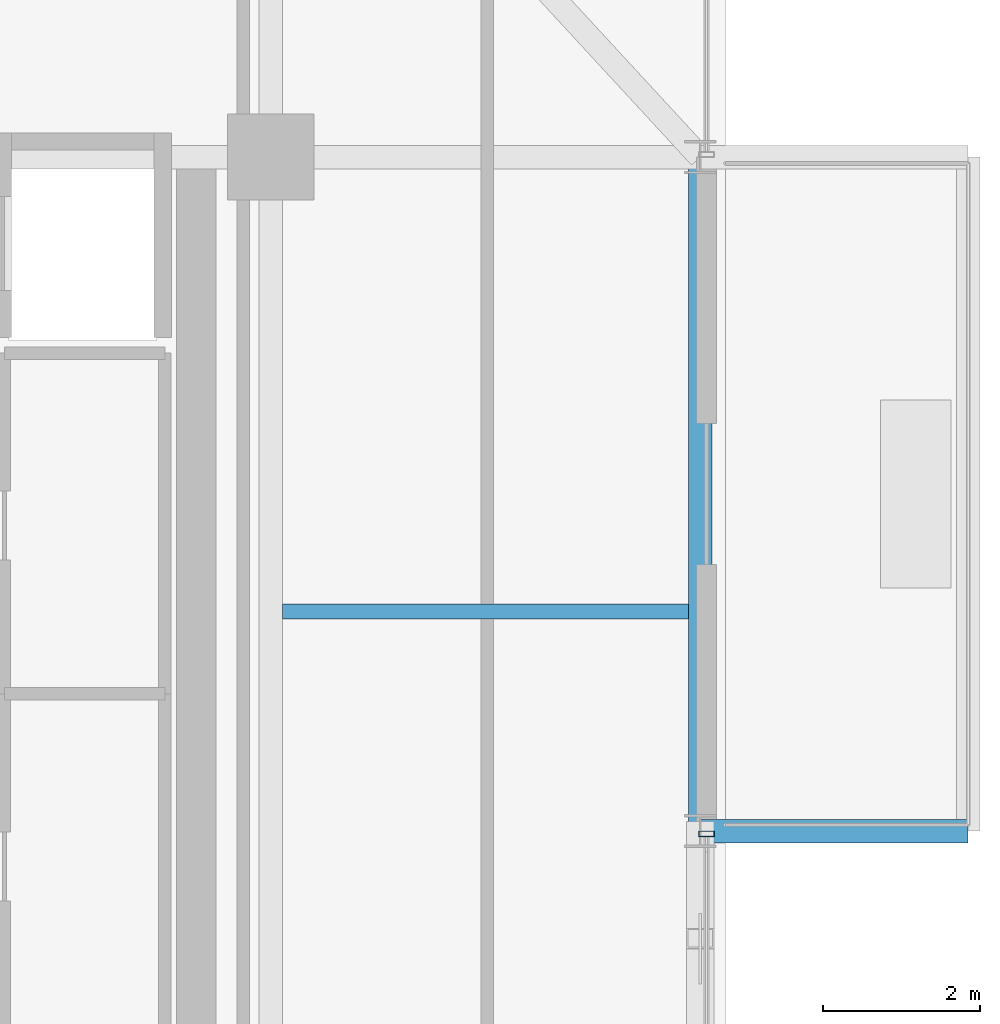
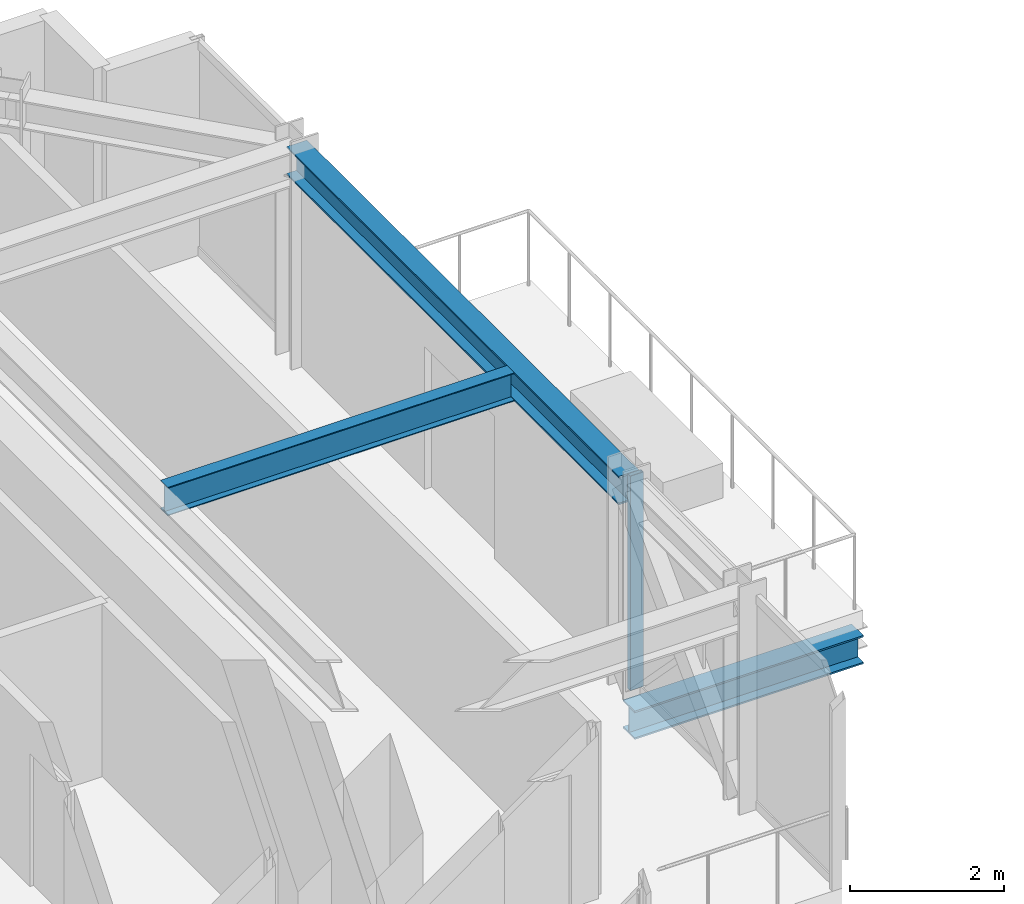
# One storey, part 26 of 38: 3 beams, 1 member, 1 element without a shape of its own.
"""IFC4 building model written with IfcOpenShell, lengths in metres."""

import ifcopenshell
import ifcopenshell.guid

model = None  # the IFC model being written
_history = None  # IfcOwnerHistory: only IFC2X3 demands one
_inside = {}  # id of a spatial element -> (the spatial element, [elements in it])
_under = {}  # id of a project, library or spatial element -> (it, [spatial elements below it])
_declared = {}  # id of a project -> (the project, [libraries it declares])
_typed = {}  # id of a type object -> (the type object, [elements of that type])
_made_of = {}  # id of a material, layer set ... -> (it, [elements and type objects made of it])


def new_model(schema):
    """Start an empty IFC model of exactly this schema.

    Asked for "IFC4X3", IfcOpenShell would pick the latest addendum, in which some entities
    have other attributes; the version numbers below select the first issue.
    IFC2X3 requires an IfcOwnerHistory on every rooted entity: one is made here for all.
    """
    global model, _history
    if schema == "IFC4X3":
        model = ifcopenshell.file(schema_version=(4, 3, 0, 0))
    else:
        model = ifcopenshell.file(schema=schema)
    _inside.clear()
    _under.clear()
    _declared.clear()
    _typed.clear()
    _made_of.clear()
    _history = None
    if model.schema == "IFC2X3":
        org = make("IfcOrganization", Name="unknown")
        user = make(
            "IfcPersonAndOrganization",
            ThePerson=make("IfcPerson", FamilyName="unknown"),
            TheOrganization=org,
        )
        app = make(
            "IfcApplication",
            ApplicationDeveloper=org,
            Version="unknown",
            ApplicationFullName="unknown",
            ApplicationIdentifier="unknown",
        )
        _history = make(
            "IfcOwnerHistory",
            OwningUser=user,
            OwningApplication=app,
            ChangeAction="ADDED",
            CreationDate=0,
        )
    return model


def make(cls, **values):
    """One entity of the class cls with the attributes given. An attribute that is None is left unset."""
    return model.create_entity(
        cls, **{name: value for name, value in values.items() if value is not None}
    )


def rooted(cls, **values):
    """An entity with a GlobalId (a new one), such as an element, a storey or a relation."""
    return make(cls, GlobalId=ifcopenshell.guid.new(), OwnerHistory=_history, **values)


def si_unit(unit_type, name, prefix=None):
    """IfcSIUnit, for example si_unit("LENGTHUNIT", "METRE", prefix="MILLI")."""
    return make("IfcSIUnit", UnitType=unit_type, Prefix=prefix, Name=name)


def assignment(units):
    """IfcUnitAssignment: the units of a project."""
    return None if units is None else make("IfcUnitAssignment", Units=units)


def point(xyz):
    """IfcCartesianPoint."""
    return None if xyz is None else make("IfcCartesianPoint", Coordinates=xyz)


def direction(xyz):
    """IfcDirection."""
    return None if xyz is None else make("IfcDirection", DirectionRatios=xyz)


def frame(location, z_axis=None, x_axis=None):
    """IfcAxis2Placement3D, a coordinate frame: its origin and axes. An axis left out is left unset."""
    return make(
        "IfcAxis2Placement3D",
        Location=point(location),
        Axis=direction(z_axis),
        RefDirection=direction(x_axis),
    )


def frame_2d(location, x_axis=None):
    """IfcAxis2Placement2D, a coordinate frame in the plane: its origin and x axis."""
    return make(
        "IfcAxis2Placement2D", Location=point(location), RefDirection=direction(x_axis)
    )


def origin():
    """The frame at (0, 0, 0) with its axes left unset."""
    return frame((0.0, 0.0, 0.0))


def origin_2d():
    """The frame at (0, 0) in the plane with its x axis left unset."""
    return frame_2d((0.0, 0.0))


def place(relative_to, where):
    """IfcLocalPlacement: puts the frame where relative to a parent placement (None: the world)."""
    return make(
        "IfcLocalPlacement", PlacementRelTo=relative_to, RelativePlacement=where
    )


def context(
    kind, dimensions, precision=None, world=None, true_north=None, identifier=None
):
    """IfcGeometricRepresentationContext, for example the 3D "Model" context."""
    return make(
        "IfcGeometricRepresentationContext",
        ContextIdentifier=identifier,
        ContextType=kind,
        CoordinateSpaceDimension=dimensions,
        Precision=precision,
        WorldCoordinateSystem=world,
        TrueNorth=true_north,
    )


def subcontext(parent, identifier, kind, view, scale=None):
    """IfcGeometricRepresentationSubContext, for example "Body" below "Model"."""
    return make(
        "IfcGeometricRepresentationSubContext",
        ContextIdentifier=identifier,
        ContextType=kind,
        ParentContext=parent,
        TargetScale=scale,
        TargetView=view,
    )


def project(units=None, contexts=None):
    """IfcProject with its units and contexts."""
    return rooted(
        "IfcProject",
        Name="project",
        RepresentationContexts=contexts,
        UnitsInContext=assignment(units),
    )


def spatial(cls, under=None, at=None, **own):
    """A site, building, storey or space (cls), placed at a placement, below another one or the project."""
    s = rooted(cls, ObjectPlacement=at, **own)
    if under is not None:
        _under.setdefault(under.id(), (under, []))[1].append(s)
    return s


def profile(cls, at=None, kind="AREA", **sizes):
    """A parametric profile (cls). Its sizes go by their IFC names, for example OverallWidth=200.0."""
    return make(cls, ProfileType=kind, Position=at, **sizes)


def hollow_rectangle(**sizes):
    """IfcRectangleHollowProfileDef."""
    return profile("IfcRectangleHollowProfileDef", **sizes)


def i_section(**sizes):
    """IfcIShapeProfileDef."""
    return profile("IfcIShapeProfileDef", **sizes)


def extrude(swept, where, along, depth):
    """IfcExtrudedAreaSolid: the profile swept, set in the frame where, extruded along a direction by depth."""
    return make(
        "IfcExtrudedAreaSolid",
        SweptArea=swept,
        Position=where,
        ExtrudedDirection=direction(along),
        Depth=depth,
    )


def shape(context_of_items, identifier, shape_type, items):
    """IfcShapeRepresentation: the items that make up one representation, for example the "Body"."""
    return make(
        "IfcShapeRepresentation",
        ContextOfItems=context_of_items,
        RepresentationIdentifier=identifier,
        RepresentationType=shape_type,
        Items=items,
    )


def source(mapping_origin, context_of_items, identifier, shape_type, items):
    """IfcRepresentationMap: a shape defined once, which mapped items show again and again."""
    return make(
        "IfcRepresentationMap",
        MappingOrigin=mapping_origin,
        MappedRepresentation=shape(context_of_items, identifier, shape_type, items),
    )


def transform(
    local_origin,
    x_axis=None,
    y_axis=None,
    z_axis=None,
    scale=None,
    scale2=None,
    scale3=None,
    uniform=True,
):
    """IfcCartesianTransformationOperator3D, or its non-uniform kind. x_axis, y_axis, z_axis: its Axis1, 2, 3."""
    if uniform:
        return make(
            "IfcCartesianTransformationOperator3D",
            Axis1=direction(x_axis),
            Axis2=direction(y_axis),
            LocalOrigin=point(local_origin),
            Scale=scale,
            Axis3=direction(z_axis),
        )
    return make(
        "IfcCartesianTransformationOperator3DnonUniform",
        Axis1=direction(x_axis),
        Axis2=direction(y_axis),
        LocalOrigin=point(local_origin),
        Scale=scale,
        Axis3=direction(z_axis),
        Scale2=scale2,
        Scale3=scale3,
    )


def mapped(mapping_source, mapping_target):
    """IfcMappedItem: shows the shape of a source again, moved by a transform."""
    return make(
        "IfcMappedItem", MappingSource=mapping_source, MappingTarget=mapping_target
    )


def material(Name=None, Category=None):
    """IfcMaterial."""
    return make("IfcMaterial", Name=Name, Category=Category)


def material_profile(
    of_material, cross_section, Name=None, Category=None, Priority=None
):
    """IfcMaterialProfile: a cross section and its material."""
    return make(
        "IfcMaterialProfile",
        Name=Name,
        Material=of_material,
        Profile=cross_section,
        Priority=Priority,
        Category=Category,
    )


def profile_set(profiles, Name=None, composite=None):
    """IfcMaterialProfileSet."""
    return make(
        "IfcMaterialProfileSet",
        Name=Name,
        MaterialProfiles=profiles,
        CompositeProfile=composite,
    )


def made_of(thing, what):
    """Note that an element or type object is made of a material, layer set ...; save() writes the relation."""
    if what is not None:
        _made_of.setdefault(what.id(), (what, []))[1].append(thing)
    return thing


def type_object(cls, material=None, **own):
    """A type object (cls), such as IfcWallType, which elements share."""
    return made_of(rooted(cls, **own), material)


def element(
    cls,
    number,
    at=None,
    inside=None,
    cuts=None,
    type_object=None,
    material=None,
    context=None,
    identifier="Body",
    shape_type=None,
    held_by="IfcProductDefinitionShape",
    body=None,
    shapes=None,
    **own,
):
    """One element of the class cls, such as IfcWall. Its Tag is "e" and its number.

    at: its placement. inside: the storey or other place that contains it. cuts: it is an
    opening in that element (IfcRelVoidsElement). A single representation is given by context,
    identifier, shape_type and body (its items); several are given by shapes. held_by: the class
    of the entity that holds the representations. save() writes the other relations.
    """
    e = rooted(cls, Tag="e%d" % number, ObjectPlacement=at, **own)
    if body is not None:
        shapes = [shape(context, identifier, shape_type, body)]
    if shapes is not None:
        e.Representation = make(held_by, Representations=shapes)
    if inside is not None:
        _inside.setdefault(inside.id(), (inside, []))[1].append(e)
    if cuts is not None:
        rooted(
            "IfcRelVoidsElement", RelatingBuildingElement=cuts, RelatedOpeningElement=e
        )
    if type_object is not None:
        _typed.setdefault(type_object.id(), (type_object, []))[1].append(e)
    return made_of(e, material)


def aggregate(whole, parts):
    """IfcRelAggregates: a whole, such as a stair, and the parts it consists of."""
    return rooted("IfcRelAggregates", RelatingObject=whole, RelatedObjects=parts)


def save(model, path):
    """Write the relations noted so far, then the file.

    IfcRelAggregates (storeys below a building ...), IfcRelContainedInSpatialStructure (elements
    in a storey), IfcRelDefinesByType, IfcRelAssociatesMaterial and IfcRelDeclares: one each for
    every whole, place, type object, material and project.
    """
    for whole, parts in _under.values():
        aggregate(whole, parts)
    for where, things in _inside.values():
        rooted(
            "IfcRelContainedInSpatialStructure",
            RelatedElements=things,
            RelatingStructure=where,
        )
    for kind, things in _typed.values():
        rooted("IfcRelDefinesByType", RelatedObjects=things, RelatingType=kind)
    for what, things in _made_of.values():
        rooted("IfcRelAssociatesMaterial", RelatedObjects=things, RelatingMaterial=what)
    for by, libraries in _declared.values():
        rooted("IfcRelDeclares", RelatingContext=by, RelatedDefinitions=libraries)
    model.write(path)


model = new_model("IFC4")

# Units and contexts
model_context = context("Model", 3, precision=1e-05, world=origin(), true_north=direction((0.0, 1.0)))
body_context = subcontext(model_context, "Body", "Model", "MODEL_VIEW")
ifc_project = project(units=[si_unit("LENGTHUNIT", "METRE"), si_unit("AREAUNIT", "SQUARE_METRE"), si_unit("VOLUMEUNIT", "CUBIC_METRE"), si_unit("PLANEANGLEUNIT", "RADIAN"), si_unit("MASSUNIT", "GRAM", prefix="KILO")], contexts=[model_context])

# Site, building, storey
site_placement = place(None, origin())
site = spatial("IfcSite", under=ifc_project, at=site_placement, CompositionType="ELEMENT")
building_placement = place(site_placement, origin())
building = spatial("IfcBuilding", under=site, at=building_placement, Name="Nahalor Promenade Grand Hotel", CompositionType="ELEMENT")
storey_placement = place(building_placement, frame((0.0, 0.0, 163.60009765625)))
storey = spatial("IfcBuildingStorey", under=building, at=storey_placement, Name="L41", CompositionType="ELEMENT", Elevation=163.60009765625)

# Beams
ifc_material_1 = material(Name="Steel S355JR", Category="steel")
ifc_material_profile_1 = material_profile(ifc_material_1, i_section(OverallWidth=0.3, OverallDepth=0.45, WebThickness=0.014, FlangeThickness=0.026, at=origin_2d()), Name="HEB 450")
ifc_profile_set_1 = profile_set([ifc_material_profile_1], Name="Steel S355JR")
beam_type_1 = type_object("IfcBeamType", Name="Beam-Outrigger-HEB450", PredefinedType="BEAM", material=ifc_profile_set_1)
shared_shape_1 = source(origin(), body_context, "Body", "SweptSolid", [
    extrude(i_section(OverallWidth=0.3, OverallDepth=0.45, WebThickness=0.014, FlangeThickness=0.026, at=origin_2d()), origin(), (0.0, 0.0, 1.0), 3.419921875),
])
beam_1_placement = place(storey_placement, frame((22.47998046875, 8.39990234375, -0.505126953125), z_axis=(1.0, 0.0, 0.0), x_axis=(0.0, 1.0, 0.0)))
element("IfcBeam", 1, at=beam_1_placement, inside=storey, type_object=beam_type_1, Name="BM-L41-BC-02-1", PredefinedType="BEAM", context=body_context, shape_type="MappedRepresentation", body=[
    mapped(shared_shape_1, transform((0.0, 0.0, 0.0), scale=1.0)),
])
ifc_material_profile_2 = material_profile(ifc_material_1, i_section(OverallWidth=0.19, OverallDepth=0.45, WebThickness=0.0094, FlangeThickness=0.0146, at=origin_2d()), Name="IPE 450")
ifc_profile_set_2 = profile_set([ifc_material_profile_2], Name="Steel S355JR")
beam_type_2 = type_object("IfcBeamType", Name="Beam-Joist-IPE450", PredefinedType="JOIST", material=ifc_profile_set_2)
shared_shape_2 = source(origin(), body_context, "Body", "SweptSolid", [
    extrude(i_section(OverallWidth=0.19, OverallDepth=0.45, WebThickness=0.0094, FlangeThickness=0.0146, at=origin_2d()), origin(), (0.0, 0.0, 1.0), 5.18017578125),
])
beam_2_placement = place(storey_placement, frame((17.14990234375, 11.199951171875, 3.164794921875), z_axis=(1.0, 0.0, 0.0), x_axis=(0.0, 1.0, 0.0)))
element("IfcBeam", 2, at=beam_2_placement, inside=storey, type_object=beam_type_2, Name="BM-L41-JSE-1-2", PredefinedType="JOIST", context=body_context, shape_type="MappedRepresentation", body=[
    mapped(shared_shape_2, transform((0.0, 0.0, 0.0), scale=1.0)),
])
ifc_material_profile_3 = material_profile(ifc_material_1, i_section(OverallWidth=0.3, OverallDepth=0.45, WebThickness=0.014, FlangeThickness=0.026, at=origin_2d()), Name="HEB 450")
ifc_profile_set_3 = profile_set([ifc_material_profile_3], Name="Steel S355JR")
beam_type_3 = type_object("IfcBeamType", Name="Beam-Spandrel-HEB450", PredefinedType="SPANDREL", material=ifc_profile_set_3)
shared_shape_3 = source(origin(), body_context, "Body", "SweptSolid", [
    extrude(i_section(OverallWidth=0.3, OverallDepth=0.45, WebThickness=0.014, FlangeThickness=0.026, at=origin_2d()), origin(), (0.0, 0.0, 1.0), 8.60009765625),
])
beam_3_placement = place(storey_placement, frame((22.47998046875, 8.39990234375, 3.164794921875), z_axis=(0.0, 1.0, 0.0), x_axis=(-1.0, 0.0, 0.0)))
element("IfcBeam", 3, at=beam_3_placement, inside=storey, type_object=beam_type_3, Name="BM-L41-SP-E-4", PredefinedType="SPANDREL", context=body_context, shape_type="MappedRepresentation", body=[
    mapped(shared_shape_3, transform((0.0, 0.0, 0.0), scale=1.0)),
])

# Curtain wall, member
ifc_material_2 = material(Name="Anodised Bronze Aluminium EN AW-6063 T6", Category="aluminium")
curtain_wall_type = type_object("IfcCurtainWallType", Name="CW3 Elliptical-Void Collar Unitised Curtain Wall", PredefinedType="USERDEFINED", material=ifc_material_2)
curtain_wall_placement = place(storey_placement, origin())
curtain_wall = element("IfcCurtainWall", 4, at=curtain_wall_placement, inside=storey, type_object=curtain_wall_type, Name="L41 Curtain Wall CW-L41-E-2", ObjectType="UNITISED_CURTAIN_WALL", PredefinedType="USERDEFINED")
ifc_material_profile_4 = material_profile(ifc_material_2, hollow_rectangle(XDim=0.07, YDim=0.2, WallThickness=0.005, at=origin_2d()), Name="CWM 70x200x5")
ifc_profile_set_4 = profile_set([ifc_material_profile_4], Name="Anodised Bronze Aluminium EN AW-6063 T6")
member_type = type_object("IfcMemberType", Name="CWM3 Void Collar Mullion 70x200", PredefinedType="MULLION", material=ifc_profile_set_4)
shared_shape_4 = source(origin(), body_context, "Body", "SweptSolid", [
    extrude(hollow_rectangle(XDim=0.07, YDim=0.2, WallThickness=0.005, at=origin_2d()), origin(), (0.0, 0.0, 1.0), 3.389892578125),
])
member_placement = place(storey_placement, frame((22.56005859375, 8.364990234375, 0.0), z_axis=(0.0, 0.0, 1.0), x_axis=(0.0, 1.0, 0.0)))
member = element("IfcMember", 5, at=member_placement, type_object=member_type, Name="CW-L41-E-2 Mullion 1", PredefinedType="MULLION", context=body_context, shape_type="MappedRepresentation", body=[
    mapped(shared_shape_4, transform((0.0, 0.0, 0.0), scale=1.0)),
])
aggregate(curtain_wall, [member])

save(model, "model.ifc")
